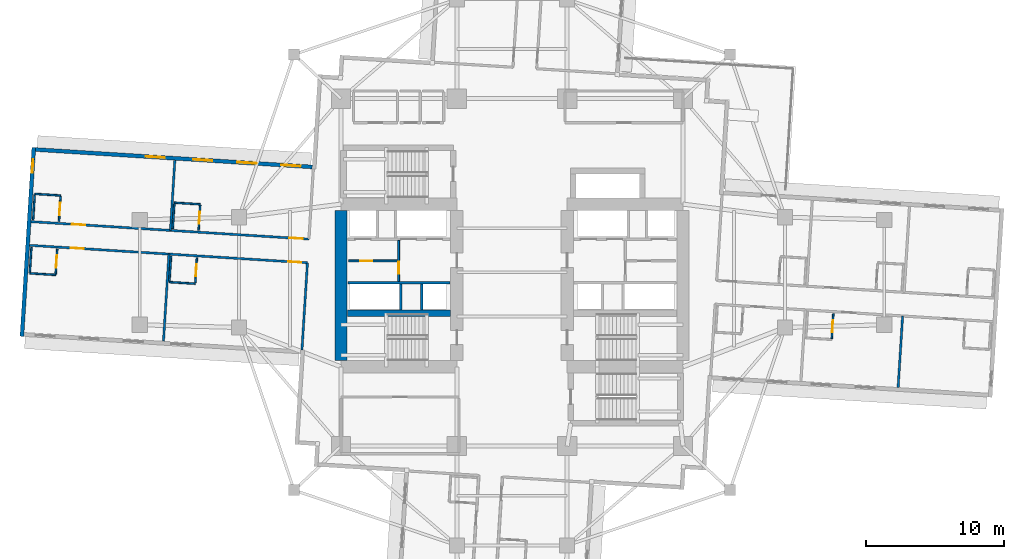
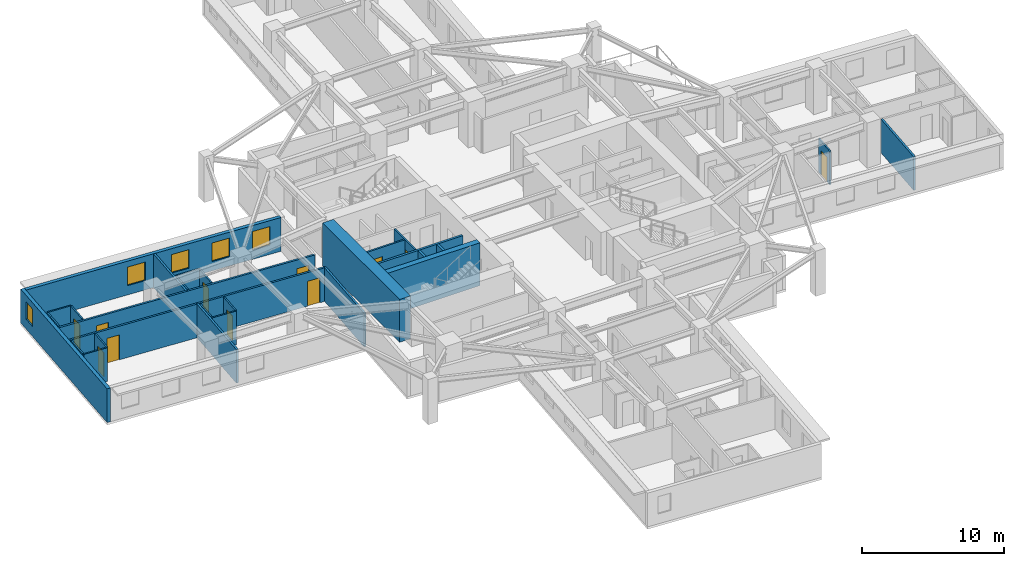
# One storey, part 5 of 14: 28 walls, 11 doors, 5 windows, 16 openings.
"""IFC4 building model written with IfcOpenShell, lengths in metres."""

from ifc_helpers import new_model, si_unit, direction, frame, frame_2d, origin, place, context, subcontext, project, spatial, rectangle, extrude, material, layer, layer_set, type_object, element, fill, save


model = new_model("IFC4")

# Units and contexts
model_context = context("Model", 3, precision=1e-05, world=origin(), true_north=direction((0.0, 1.0)))
body_context = subcontext(model_context, "Body", "Model", "MODEL_VIEW")
ifc_project = project(units=[si_unit("LENGTHUNIT", "METRE"), si_unit("AREAUNIT", "SQUARE_METRE"), si_unit("VOLUMEUNIT", "CUBIC_METRE"), si_unit("PLANEANGLEUNIT", "RADIAN"), si_unit("MASSUNIT", "GRAM", prefix="KILO")], contexts=[model_context])

# Site, building, storey
site_placement = place(None, origin())
site = spatial("IfcSite", under=ifc_project, at=site_placement, CompositionType="ELEMENT")
building_placement = place(site_placement, origin())
building = spatial("IfcBuilding", under=site, at=building_placement, Name="Qingluan Cross Belvedere", CompositionType="ELEMENT")
storey_placement = place(building_placement, frame((0.0, 0.0, 79.5)))
storey = spatial("IfcBuildingStorey", under=building, at=storey_placement, Name="L20", CompositionType="ELEMENT", Elevation=79.5)

# Walls
ifc_material_1 = material(Name="Concrete C50", Category="concrete")
ifc_layer_1 = layer(ifc_material_1, 0.449951171875, Name="CoreShearWall_450")
ifc_layer_set_1 = layer_set([ifc_layer_1], Name="Concrete C50")
wall_type_1 = type_object("IfcWallType", Name="CoreShearWall_450", PredefinedType="SHEAR", material=ifc_layer_set_1)
wall_1_placement = place(storey_placement, frame((-11.945068359375, -2.9599609375, 0.0), z_axis=(0.0, 0.0, 1.0), x_axis=(1.0, 0.0, 0.0)))
element("IfcWall", 1, at=wall_1_placement, inside=storey, type_object=wall_type_1, Name="Split core W shear wall L20-M", PredefinedType="SHEAR", context=body_context, shape_type="SweptSolid", body=[
    extrude(rectangle(XDim=7.489990234375, YDim=0.449951171875, at=frame_2d((3.7451171875, 0.0))), origin(), (0.0, 0.0, 1.0), 3.699951171875),
])
ifc_material_2 = material(Name="Concrete C70", Category="concrete")
ifc_layer_2 = layer(ifc_material_2, 0.89990234375, Name="CoreShearWall_900")
ifc_layer_set_2 = layer_set([ifc_layer_2], Name="Concrete C70")
wall_type_2 = type_object("IfcWallType", Name="CoreShearWall_900", PredefinedType="SHEAR", material=ifc_layer_set_2)
wall_2_placement = place(storey_placement, frame((-12.39990234375, -6.39501953125, 0.0), z_axis=(0.0, 0.0, 1.0), x_axis=(0.0, 1.0, 0.0)))
element("IfcWall", 2, at=wall_2_placement, inside=storey, type_object=wall_type_2, Name="Split core W shear wall L20-W", PredefinedType="SHEAR", context=body_context, shape_type="SweptSolid", body=[
    extrude(rectangle(XDim=10.89013671875, YDim=0.89990234375, at=frame_2d((5.445068359375, 0.0))), origin(), (0.0, 0.0, 1.0), 3.699951171875),
])

# Wall, opening, door
ifc_material_3 = material(Name="Gypsum plasterboard on steel stud acoustic partition", Category="steel")
ifc_layer_3 = layer(ifc_material_3, 0.159912109375, Name="CorridorPartition_160")
ifc_layer_set_3 = layer_set([ifc_layer_3], Name="Gypsum plasterboard on steel stud acoustic partition")
wall_type_3 = type_object("IfcWallType", Name="CorridorPartition_160", PredefinedType="PARTITIONING", material=ifc_layer_set_3)
wall_3_placement = place(storey_placement, frame((-11.85009765625, 0.830078125, 0.0), z_axis=(0.0, 0.0, 1.0), x_axis=(1.0, 0.0, 0.0)))
wall_3 = element("IfcWall", 3, at=wall_3_placement, inside=storey, type_object=wall_type_3, Name="Partition L20:w", PredefinedType="PARTITIONING", context=body_context, shape_type="SweptSolid", body=[
    extrude(rectangle(XDim=3.552001953125, YDim=0.139892578125, at=frame_2d((1.77587890625, 0.0))), origin(), (0.0, 0.0, 1.0), 2.89990234375),
])
opening_1_placement = place(wall_3_placement, frame((0.85009765625, 0.0, 0.0)))
opening_1 = element("IfcOpeningElement", 4, at=opening_1_placement, cuts=wall_3, Name="Opening FD-B10", PredefinedType="OPENING", context=body_context, shape_type="SweptSolid", body=[
    extrude(rectangle(XDim=0.8798828125, YDim=2.10009765625, at=frame_2d((0.43994140625, 1.050048828125))), frame((0.0, 0.079833984375, 0.0), z_axis=(0.0, -1.0, 0.0), x_axis=(1.0, 0.0, 0.0)), (0.0, 0.0, 1.0), 0.159912109375),
])
ifc_material_4 = material(Name="Steel Class B service fire door", Category="steel")
door_type_1 = type_object("IfcDoorType", Name="RiserServiceFireDoor_FDB", OperationType="NOTDEFINED", PredefinedType="DOOR", material=ifc_material_4)
door_1_placement = place(opening_1_placement, origin())
door_1 = element("IfcDoor", 5, at=door_1_placement, inside=storey, type_object=door_type_1, Name="Service closet inner door L20", OperationType="SINGLE_SWING_RIGHT", OverallHeight=2.10009765625, OverallWidth=0.8798828125, PredefinedType="DOOR", context=body_context, shape_type="SweptSolid", body=[
    extrude(rectangle(XDim=0.8798828125, YDim=2.10009765625, at=frame_2d((0.43994140625, 1.050048828125))), frame((0.0, 0.02490234375, 0.0), z_axis=(0.0, -1.0, 0.0), x_axis=(1.0, 0.0, 0.0)), (0.0, 0.0, 1.0), 0.050048828125),
])
fill(opening_1, door_1)

# Wall
wall_4_placement = place(storey_placement, frame((28.328125, -3.1650390625, 0.0), z_axis=(0.0, 0.0, 1.0), x_axis=(-0.062776426029, -0.998027615016, 0.0)))
element("IfcWall", 6, at=wall_4_placement, inside=storey, type_object=wall_type_3, Name="Partition L20:E:d1_1", PredefinedType="PARTITIONING", context=body_context, shape_type="SweptSolid", body=[
    extrude(rectangle(XDim=5.19189453125, YDim=0.159912109375, at=frame_2d((2.595947265625, 0.0))), origin(), (0.0, 0.0, 1.0), 2.89990234375),
])

# Wall, openings, doors
wall_5_placement = place(storey_placement, frame((-14.727783203125, 2.409423828125, 0.0), z_axis=(0.0, 0.0, 1.0), x_axis=(-0.998026414479, 0.062795509413, 0.0)))
wall_5 = element("IfcWall", 7, at=wall_5_placement, inside=storey, type_object=wall_type_3, Name="Partition L20:W:c0", PredefinedType="PARTITIONING", context=body_context, shape_type="SweptSolid", body=[
    extrude(rectangle(XDim=20.181884765625, YDim=0.159912109375, at=frame_2d((10.0908203125, 0.0))), origin(), (0.0, 0.0, 1.0), 2.89990234375),
])
opening_2_placement = place(wall_5_placement, frame((0.449951171875, 0.0, 0.0)))
opening_2 = element("IfcOpeningElement", 8, at=opening_2_placement, cuts=wall_5, Name="Opening GD-10", PredefinedType="OPENING", context=body_context, shape_type="SweptSolid", body=[
    extrude(rectangle(XDim=0.9599609375, YDim=2.14990234375, at=frame_2d((0.47998046875, 1.074951171875))), frame((0.0, 0.08984375, 0.0), z_axis=(0.0, -1.0, 0.0), x_axis=(1.0, 0.0, 0.0)), (0.0, 0.0, 1.0), 0.179931640625),
])
opening_3_placement = place(wall_5_placement, frame((16.2548828125, 0.0, 0.0)))
opening_3 = element("IfcOpeningElement", 9, at=opening_3_placement, cuts=wall_5, Name="Opening GD-10", PredefinedType="OPENING", context=body_context, shape_type="SweptSolid", body=[
    extrude(rectangle(XDim=0.9599609375, YDim=2.14990234375, at=frame_2d((0.47998046875, 1.074951171875))), frame((0.0, 0.08984375, 0.0), z_axis=(0.0, -1.0, 0.0), x_axis=(1.0, 0.0, 0.0)), (0.0, 0.0, 1.0), 0.179931640625),
])
ifc_material_5 = material(Name="Timber oak fire-rated acoustic guestroom door", Category="wood")
door_type_2 = type_object("IfcDoorType", Name="GuestEntryDoor_FD60", OperationType="NOTDEFINED", PredefinedType="DOOR", material=ifc_material_5)
door_2_placement = place(opening_2_placement, origin())
door_2 = element("IfcDoor", 10, at=door_2_placement, inside=storey, type_object=door_type_2, Name="Guest entry fire door 2007", OperationType="SINGLE_SWING_LEFT", OverallHeight=2.14990234375, OverallWidth=0.9599609375, PredefinedType="DOOR", context=body_context, shape_type="SweptSolid", body=[
    extrude(rectangle(XDim=0.9599609375, YDim=2.14990234375, at=frame_2d((0.47998046875, 1.074951171875))), frame((0.0, 0.02490234375, 0.0), z_axis=(0.0, -1.0, 0.0), x_axis=(1.0, 0.0, 0.0)), (0.0, 0.0, 1.0), 0.050048828125),
])
fill(opening_2, door_2)
door_3_placement = place(opening_3_placement, origin())
door_3 = element("IfcDoor", 11, at=door_3_placement, inside=storey, type_object=door_type_2, Name="Guest entry fire door 2008", OperationType="SINGLE_SWING_LEFT", OverallHeight=2.14990234375, OverallWidth=0.9599609375, PredefinedType="DOOR", context=body_context, shape_type="SweptSolid", body=[
    extrude(rectangle(XDim=0.9599609375, YDim=2.14990234375, at=frame_2d((0.47998046875, 1.074951171875))), frame((0.0, 0.02490234375, 0.0), z_axis=(0.0, -1.0, 0.0), x_axis=(1.0, 0.0, 0.0)), (0.0, 0.0, 1.0), 0.050048828125),
])
fill(opening_3, door_3)

# Wall
wall_6_placement = place(storey_placement, frame((-24.77099609375, 3.04150390625, 0.0), z_axis=(0.0, 0.0, 1.0), x_axis=(0.06281111298, 0.998025432585, 0.0)))
element("IfcWall", 12, at=wall_6_placement, inside=storey, type_object=wall_type_3, Name="Partition L20:W:d0_0", PredefinedType="PARTITIONING", context=body_context, shape_type="SweptSolid", body=[
    extrude(rectangle(XDim=5.091796875, YDim=0.159912109375, at=frame_2d((2.5458984375, 0.0))), origin(), (0.0, 0.0, 1.0), 2.89990234375),
])

# Wall, openings, doors
wall_7_placement = place(storey_placement, frame((-14.835693359375, 0.69287109375, 0.0), z_axis=(0.0, 0.0, 1.0), x_axis=(-0.998026414479, 0.062795509413, 0.0)))
wall_7 = element("IfcWall", 13, at=wall_7_placement, inside=storey, type_object=wall_type_3, Name="Partition L20:W:c1", PredefinedType="PARTITIONING", context=body_context, shape_type="SweptSolid", body=[
    extrude(rectangle(XDim=20.181884765625, YDim=0.159912109375, at=frame_2d((10.0908203125, 0.0))), origin(), (0.0, 0.0, 1.0), 2.89990234375),
])
opening_4_placement = place(wall_7_placement, frame((0.449951171875, 0.0, 0.0)))
opening_4 = element("IfcOpeningElement", 14, at=opening_4_placement, cuts=wall_7, Name="Opening GD-10", PredefinedType="OPENING", context=body_context, shape_type="SweptSolid", body=[
    extrude(rectangle(XDim=0.9599609375, YDim=2.14990234375, at=frame_2d((0.47998046875, 1.074951171875))), frame((0.0, 0.08984375, 0.0), z_axis=(0.0, -1.0, 0.0), x_axis=(1.0, 0.0, 0.0)), (0.0, 0.0, 1.0), 0.179931640625),
])
opening_5_placement = place(wall_7_placement, frame((16.2548828125, 0.0, 0.0)))
opening_5 = element("IfcOpeningElement", 15, at=opening_5_placement, cuts=wall_7, Name="Opening GD-10", PredefinedType="OPENING", context=body_context, shape_type="SweptSolid", body=[
    extrude(rectangle(XDim=0.9599609375, YDim=2.14990234375, at=frame_2d((0.47998046875, 1.074951171875))), frame((0.0, 0.08984375, 0.0), z_axis=(0.0, -1.0, 0.0), x_axis=(1.0, 0.0, 0.0)), (0.0, 0.0, 1.0), 0.179931640625),
])
door_4_placement = place(opening_4_placement, origin())
door_4 = element("IfcDoor", 16, at=door_4_placement, inside=storey, type_object=door_type_2, Name="Guest entry fire door 2009", OperationType="SINGLE_SWING_LEFT", OverallHeight=2.14990234375, OverallWidth=0.9599609375, PredefinedType="DOOR", context=body_context, shape_type="SweptSolid", body=[
    extrude(rectangle(XDim=0.9599609375, YDim=2.14990234375, at=frame_2d((0.47998046875, 1.074951171875))), frame((0.0, 0.02490234375, 0.0), z_axis=(0.0, -1.0, 0.0), x_axis=(1.0, 0.0, 0.0)), (0.0, 0.0, 1.0), 0.050048828125),
])
fill(opening_4, door_4)
door_5_placement = place(opening_5_placement, origin())
door_5 = element("IfcDoor", 17, at=door_5_placement, inside=storey, type_object=door_type_2, Name="Guest entry fire door 2010", OperationType="SINGLE_SWING_LEFT", OverallHeight=2.14990234375, OverallWidth=0.9599609375, PredefinedType="DOOR", context=body_context, shape_type="SweptSolid", body=[
    extrude(rectangle(XDim=0.9599609375, YDim=2.14990234375, at=frame_2d((0.47998046875, 1.074951171875))), frame((0.0, 0.02490234375, 0.0), z_axis=(0.0, -1.0, 0.0), x_axis=(1.0, 0.0, 0.0)), (0.0, 0.0, 1.0), 0.050048828125),
])
fill(opening_5, door_5)

# Walls
wall_8_placement = place(storey_placement, frame((-14.835693359375, 0.69287109375, 0.0), z_axis=(0.0, 0.0, 1.0), x_axis=(-0.062807948776, -0.99802563172, 0.0)))
element("IfcWall", 18, at=wall_8_placement, inside=storey, type_object=wall_type_3, Name="Partition L20:W:s1", PredefinedType="PARTITIONING", context=body_context, shape_type="SweptSolid", body=[
    extrude(rectangle(XDim=6.33203125, YDim=0.159912109375, at=frame_2d((3.166015625, 0.0))), origin(), (0.0, 0.0, 1.0), 2.89990234375),
])
wall_9_placement = place(storey_placement, frame((-24.87890625, 1.32470703125, 0.0), z_axis=(0.0, 0.0, 1.0), x_axis=(-0.06281036572, -0.998025479614, 0.0)))
element("IfcWall", 19, at=wall_9_placement, inside=storey, type_object=wall_type_3, Name="Partition L20:W:d1_0", PredefinedType="PARTITIONING", context=body_context, shape_type="SweptSolid", body=[
    extrude(rectangle(XDim=6.331787109375, YDim=0.159912109375, at=frame_2d((3.166015625, 0.0))), origin(), (0.0, 0.0, 1.0), 2.89990234375),
])

# Wall, opening, door
ifc_material_6 = material(Name="Moisture-resistant gypsum board lining")
ifc_layer_4 = layer(ifc_material_6, 0.1201171875, Name="EnsuiteWetPartition_120")
ifc_layer_set_4 = layer_set([ifc_layer_4], Name="Moisture-resistant gypsum board lining")
wall_type_4 = type_object("IfcWallType", Name="EnsuiteWetPartition_120", PredefinedType="PARTITIONING", material=ifc_layer_set_4)
wall_10_placement = place(storey_placement, frame((23.18994140625, -4.8056640625, 0.0), z_axis=(0.0, 0.0, 1.0), x_axis=(0.062779145668, 0.998027443946, 0.0)))
wall_10 = element("IfcWall", 20, at=wall_10_placement, inside=storey, type_object=wall_type_4, Name="Partition L20:E:bs1_1", PredefinedType="PARTITIONING", context=body_context, shape_type="SweptSolid", body=[
    extrude(rectangle(XDim=1.820068359375, YDim=0.1201171875, at=frame_2d((0.91015625, 0.0))), origin(), (0.0, 0.0, 1.0), 2.89990234375),
])
opening_6_placement = place(wall_10_placement, frame((0.469970703125, 0.0, 0.0)))
opening_6 = element("IfcOpeningElement", 21, at=opening_6_placement, cuts=wall_10, Name="Opening BD-09", PredefinedType="OPENING", context=body_context, shape_type="SweptSolid", body=[
    extrude(rectangle(XDim=0.8798828125, YDim=2.10009765625, at=frame_2d((0.43994140625, 1.050048828125))), frame((0.0, 0.070068359375, 0.0), z_axis=(0.0, -1.0, 0.0), x_axis=(1.0, 0.0, 0.0)), (0.0, 0.0, 1.0), 0.14013671875),
])
ifc_material_7 = material(Name="Moisture-sealed timber en-suite door", Category="wood")
door_type_3 = type_object("IfcDoorType", Name="BathroomDoor_880", OperationType="NOTDEFINED", PredefinedType="DOOR", material=ifc_material_7)
door_6_placement = place(opening_6_placement, origin())
door_6 = element("IfcDoor", 22, at=door_6_placement, inside=storey, type_object=door_type_3, Name="Bathroom door 2005", OperationType="SINGLE_SWING_RIGHT", OverallHeight=2.10009765625, OverallWidth=0.8798828125, PredefinedType="DOOR", context=body_context, shape_type="SweptSolid", body=[
    extrude(rectangle(XDim=0.8798828125, YDim=2.10009765625, at=frame_2d((0.43994140625, 1.050048828125))), frame((0.0, 0.02490234375, 0.0), z_axis=(0.0, -1.0, 0.0), x_axis=(1.0, 0.0, 0.0)), (0.0, 0.0, 1.0), 0.050048828125),
])
fill(opening_6, door_6)

wall_11_placement = place(storey_placement, frame((-22.72607421875, 3.052978515625, 0.0), z_axis=(0.0, 0.0, 1.0), x_axis=(0.062779145668, 0.998027443946, 0.0)))
wall_11 = element("IfcWall", 23, at=wall_11_placement, inside=storey, type_object=wall_type_4, Name="Partition L20:W:bs0_0", PredefinedType="PARTITIONING", context=body_context, shape_type="SweptSolid", body=[
    extrude(rectangle(XDim=1.820068359375, YDim=0.1201171875, at=frame_2d((0.91015625, 0.0))), origin(), (0.0, 0.0, 1.0), 2.89990234375),
])
opening_7_placement = place(wall_11_placement, frame((0.469970703125, 0.0, 0.0)))
opening_7 = element("IfcOpeningElement", 24, at=opening_7_placement, cuts=wall_11, Name="Opening BD-09", PredefinedType="OPENING", context=body_context, shape_type="SweptSolid", body=[
    extrude(rectangle(XDim=0.8798828125, YDim=2.10009765625, at=frame_2d((0.43994140625, 1.050048828125))), frame((0.0, 0.070068359375, 0.0), z_axis=(0.0, -1.0, 0.0), x_axis=(1.0, 0.0, 0.0)), (0.0, 0.0, 1.0), 0.14013671875),
])
door_7_placement = place(opening_7_placement, origin())
door_7 = element("IfcDoor", 25, at=door_7_placement, inside=storey, type_object=door_type_3, Name="Bathroom door 2007", OperationType="SINGLE_SWING_RIGHT", OverallHeight=2.10009765625, OverallWidth=0.8798828125, PredefinedType="DOOR", context=body_context, shape_type="SweptSolid", body=[
    extrude(rectangle(XDim=0.8798828125, YDim=2.10009765625, at=frame_2d((0.43994140625, 1.050048828125))), frame((0.0, 0.02490234375, 0.0), z_axis=(0.0, -1.0, 0.0), x_axis=(1.0, 0.0, 0.0)), (0.0, 0.0, 1.0), 0.050048828125),
])
fill(opening_7, door_7)

# Walls
wall_12_placement = place(storey_placement, frame((-24.602294921875, 3.171142578125, 0.0), z_axis=(0.0, 0.0, 1.0), x_axis=(0.062645529196, 0.998035839873, 0.0)))
element("IfcWall", 26, at=wall_12_placement, inside=storey, type_object=wall_type_4, Name="Partition L20:W:bw0_0", PredefinedType="PARTITIONING", context=body_context, shape_type="SweptSolid", body=[
    extrude(rectangle(XDim=1.820068359375, YDim=0.1201171875, at=frame_2d((0.91015625, 0.0))), origin(), (0.0, 0.0, 1.0), 2.89990234375),
])
wall_13_placement = place(storey_placement, frame((-22.60791015625, 4.934326171875, 0.0), z_axis=(0.0, 0.0, 1.0), x_axis=(-0.998030789148, 0.062725942896, 0.0)))
element("IfcWall", 27, at=wall_13_placement, inside=storey, type_object=wall_type_4, Name="Partition L20:W:bn0_0", PredefinedType="PARTITIONING", context=body_context, shape_type="SweptSolid", body=[
    extrude(rectangle(XDim=1.8798828125, YDim=0.1201171875, at=frame_2d((0.93994140625, 0.0))), origin(), (0.0, 0.0, 1.0), 2.89990234375),
])

# Wall, opening, door
wall_14_placement = place(storey_placement, frame((-32.85302734375, 3.690185546875, 0.0), z_axis=(0.0, 0.0, 1.0), x_axis=(0.062779145668, 0.998027443946, 0.0)))
wall_14 = element("IfcWall", 28, at=wall_14_placement, inside=storey, type_object=wall_type_4, Name="Partition L20:W:bs0_1", PredefinedType="PARTITIONING", context=body_context, shape_type="SweptSolid", body=[
    extrude(rectangle(XDim=1.820068359375, YDim=0.1201171875, at=frame_2d((0.91015625, 0.0))), origin(), (0.0, 0.0, 1.0), 2.89990234375),
])
opening_8_placement = place(wall_14_placement, frame((0.469970703125, 0.0, 0.0)))
opening_8 = element("IfcOpeningElement", 29, at=opening_8_placement, cuts=wall_14, Name="Opening BD-09", PredefinedType="OPENING", context=body_context, shape_type="SweptSolid", body=[
    extrude(rectangle(XDim=0.8798828125, YDim=2.10009765625, at=frame_2d((0.43994140625, 1.050048828125))), frame((0.0, 0.070068359375, 0.0), z_axis=(0.0, -1.0, 0.0), x_axis=(1.0, 0.0, 0.0)), (0.0, 0.0, 1.0), 0.14013671875),
])
door_8_placement = place(opening_8_placement, origin())
door_8 = element("IfcDoor", 30, at=door_8_placement, inside=storey, type_object=door_type_3, Name="Bathroom door 2008", OperationType="SINGLE_SWING_RIGHT", OverallHeight=2.10009765625, OverallWidth=0.8798828125, PredefinedType="DOOR", context=body_context, shape_type="SweptSolid", body=[
    extrude(rectangle(XDim=0.8798828125, YDim=2.10009765625, at=frame_2d((0.43994140625, 1.050048828125))), frame((0.0, 0.02490234375, 0.0), z_axis=(0.0, -1.0, 0.0), x_axis=(1.0, 0.0, 0.0)), (0.0, 0.0, 1.0), 0.050048828125),
])
fill(opening_8, door_8)

# Walls
wall_15_placement = place(storey_placement, frame((-34.7294921875, 3.80810546875, 0.0), z_axis=(0.0, 0.0, 1.0), x_axis=(0.062912758763, 0.998019030272, 0.0)))
element("IfcWall", 31, at=wall_15_placement, inside=storey, type_object=wall_type_4, Name="Partition L20:W:bw0_1", PredefinedType="PARTITIONING", context=body_context, shape_type="SweptSolid", body=[
    extrude(rectangle(XDim=1.820068359375, YDim=0.1201171875, at=frame_2d((0.91015625, 0.0))), origin(), (0.0, 0.0, 1.0), 2.89990234375),
])
wall_16_placement = place(storey_placement, frame((-32.73486328125, 5.5712890625, 0.0), z_axis=(0.0, 0.0, 1.0), x_axis=(-0.998022650819, 0.062855297722, 0.0)))
element("IfcWall", 32, at=wall_16_placement, inside=storey, type_object=wall_type_4, Name="Partition L20:W:bn0_1", PredefinedType="PARTITIONING", context=body_context, shape_type="SweptSolid", body=[
    extrude(rectangle(XDim=1.8798828125, YDim=0.1201171875, at=frame_2d((0.93994140625, 0.0))), origin(), (0.0, 0.0, 1.0), 2.89990234375),
])

# Wall, opening, door
wall_17_placement = place(storey_placement, frame((-22.966064453125, -0.759521484375, 0.0), z_axis=(0.0, 0.0, 1.0), x_axis=(0.062779145668, 0.998027443946, 0.0)))
wall_17 = element("IfcWall", 33, at=wall_17_placement, inside=storey, type_object=wall_type_4, Name="Partition L20:W:bs1_0", PredefinedType="PARTITIONING", context=body_context, shape_type="SweptSolid", body=[
    extrude(rectangle(XDim=1.820068359375, YDim=0.1201171875, at=frame_2d((0.91015625, 0.0))), origin(), (0.0, 0.0, 1.0), 2.89990234375),
])
opening_9_placement = place(wall_17_placement, frame((0.469970703125, 0.0, 0.0)))
opening_9 = element("IfcOpeningElement", 34, at=opening_9_placement, cuts=wall_17, Name="Opening BD-09", PredefinedType="OPENING", context=body_context, shape_type="SweptSolid", body=[
    extrude(rectangle(XDim=0.8798828125, YDim=2.10009765625, at=frame_2d((0.43994140625, 1.050048828125))), frame((0.0, 0.070068359375, 0.0), z_axis=(0.0, -1.0, 0.0), x_axis=(1.0, 0.0, 0.0)), (0.0, 0.0, 1.0), 0.14013671875),
])
door_9_placement = place(opening_9_placement, origin())
door_9 = element("IfcDoor", 35, at=door_9_placement, inside=storey, type_object=door_type_3, Name="Bathroom door 2009", OperationType="SINGLE_SWING_RIGHT", OverallHeight=2.10009765625, OverallWidth=0.8798828125, PredefinedType="DOOR", context=body_context, shape_type="SweptSolid", body=[
    extrude(rectangle(XDim=0.8798828125, YDim=2.10009765625, at=frame_2d((0.43994140625, 1.050048828125))), frame((0.0, 0.02490234375, 0.0), z_axis=(0.0, -1.0, 0.0), x_axis=(1.0, 0.0, 0.0)), (0.0, 0.0, 1.0), 0.050048828125),
])
fill(opening_9, door_9)

# Walls
wall_18_placement = place(storey_placement, frame((-24.84228515625, -0.641357421875, 0.0), z_axis=(0.0, 0.0, 1.0), x_axis=(0.062779145668, 0.998027443946, 0.0)))
element("IfcWall", 36, at=wall_18_placement, inside=storey, type_object=wall_type_4, Name="Partition L20:W:bw1_0", PredefinedType="PARTITIONING", context=body_context, shape_type="SweptSolid", body=[
    extrude(rectangle(XDim=1.820068359375, YDim=0.1201171875, at=frame_2d((0.91015625, 0.0))), origin(), (0.0, 0.0, 1.0), 2.89990234375),
])
wall_19_placement = place(storey_placement, frame((-22.97021484375, -0.82421875, 0.0), z_axis=(0.0, 0.0, 1.0), x_axis=(-0.998030789148, 0.062725942896, 0.0)))
element("IfcWall", 37, at=wall_19_placement, inside=storey, type_object=wall_type_4, Name="Partition L20:W:bc1_0", PredefinedType="PARTITIONING", context=body_context, shape_type="SweptSolid", body=[
    extrude(rectangle(XDim=1.8798828125, YDim=0.1201171875, at=frame_2d((0.93994140625, 0.0))), origin(), (0.0, 0.0, 1.0), 2.89990234375),
])

# Wall, opening, door
wall_20_placement = place(storey_placement, frame((-33.093017578125, -0.122314453125, 0.0), z_axis=(0.0, 0.0, 1.0), x_axis=(0.062779145668, 0.998027443946, 0.0)))
wall_20 = element("IfcWall", 38, at=wall_20_placement, inside=storey, type_object=wall_type_4, Name="Partition L20:W:bs1_1", PredefinedType="PARTITIONING", context=body_context, shape_type="SweptSolid", body=[
    extrude(rectangle(XDim=1.820068359375, YDim=0.1201171875, at=frame_2d((0.91015625, 0.0))), origin(), (0.0, 0.0, 1.0), 2.89990234375),
])
opening_10_placement = place(wall_20_placement, frame((0.469970703125, 0.0, 0.0)))
opening_10 = element("IfcOpeningElement", 39, at=opening_10_placement, cuts=wall_20, Name="Opening BD-09", PredefinedType="OPENING", context=body_context, shape_type="SweptSolid", body=[
    extrude(rectangle(XDim=0.8798828125, YDim=2.10009765625, at=frame_2d((0.43994140625, 1.050048828125))), frame((0.0, 0.070068359375, 0.0), z_axis=(0.0, -1.0, 0.0), x_axis=(1.0, 0.0, 0.0)), (0.0, 0.0, 1.0), 0.14013671875),
])
door_10_placement = place(opening_10_placement, origin())
door_10 = element("IfcDoor", 40, at=door_10_placement, inside=storey, type_object=door_type_3, Name="Bathroom door 2010", OperationType="SINGLE_SWING_RIGHT", OverallHeight=2.10009765625, OverallWidth=0.8798828125, PredefinedType="DOOR", context=body_context, shape_type="SweptSolid", body=[
    extrude(rectangle(XDim=0.8798828125, YDim=2.10009765625, at=frame_2d((0.43994140625, 1.050048828125))), frame((0.0, 0.02490234375, 0.0), z_axis=(0.0, -1.0, 0.0), x_axis=(1.0, 0.0, 0.0)), (0.0, 0.0, 1.0), 0.050048828125),
])
fill(opening_10, door_10)

# Walls
wall_21_placement = place(storey_placement, frame((-34.96923828125, -0.00439453125, 0.0), z_axis=(0.0, 0.0, 1.0), x_axis=(0.062779145668, 0.998027443946, 0.0)))
element("IfcWall", 41, at=wall_21_placement, inside=storey, type_object=wall_type_4, Name="Partition L20:W:bw1_1", PredefinedType="PARTITIONING", context=body_context, shape_type="SweptSolid", body=[
    extrude(rectangle(XDim=1.820068359375, YDim=0.1201171875, at=frame_2d((0.91015625, 0.0))), origin(), (0.0, 0.0, 1.0), 2.89990234375),
])
wall_22_placement = place(storey_placement, frame((-33.09716796875, -0.187255859375, 0.0), z_axis=(0.0, 0.0, 1.0), x_axis=(-0.998022650819, 0.062855297722, 0.0)))
element("IfcWall", 42, at=wall_22_placement, inside=storey, type_object=wall_type_4, Name="Partition L20:W:bc1_1", PredefinedType="PARTITIONING", context=body_context, shape_type="SweptSolid", body=[
    extrude(rectangle(XDim=1.8798828125, YDim=0.1201171875, at=frame_2d((0.93994140625, 0.0))), origin(), (0.0, 0.0, 1.0), 2.89990234375),
])

# Wall, openings, windows
ifc_material_8 = material(Name="Precast concrete C45", Category="concrete")
ifc_layer_5 = layer(ifc_material_8, 0.280029296875, Name="PrecastFacadeWall_280")
ifc_layer_set_5 = layer_set([ifc_layer_5], Name="Precast concrete C45")
wall_type_5 = type_object("IfcWallType", Name="PrecastFacadeWall_280", PredefinedType="STANDARD", material=ifc_layer_set_5)
wall_23_placement = place(storey_placement, frame((-14.488525390625, 7.644775390625, 0.0), z_axis=(0.0, 0.0, 1.0), x_axis=(-0.99802635503, 0.06279645424, 0.0)))
wall_23 = element("IfcWall", 43, at=wall_23_placement, inside=storey, type_object=wall_type_5, Name="Facade wall L20-WA", PredefinedType="STANDARD", context=body_context, shape_type="SweptSolid", body=[
    extrude(rectangle(XDim=20.099853515625, YDim=0.280029296875, at=frame_2d((10.0498046875, 0.0))), origin(), (0.0, 0.0, 1.0), 2.909912109375),
])
opening_11_placement = place(wall_23_placement, frame((0.85009765625, 0.0, 0.800048828125)))
opening_11 = element("IfcOpeningElement", 44, at=opening_11_placement, cuts=wall_23, Name="Opening W-01", PredefinedType="OPENING", context=body_context, shape_type="SweptSolid", body=[
    extrude(rectangle(XDim=1.39990234375, YDim=1.60009765625, at=frame_2d((0.699951171875, 0.800048828125))), frame((0.0, 0.14990234375, 0.0), z_axis=(0.0, -1.0, 0.0), x_axis=(1.0, 0.0, 0.0)), (0.0, 0.0, 1.0), 0.300048828125),
])
opening_12_placement = place(wall_23_placement, frame((4.050048828125, 0.0, 0.800048828125)))
opening_12 = element("IfcOpeningElement", 45, at=opening_12_placement, cuts=wall_23, Name="Opening W-01", PredefinedType="OPENING", context=body_context, shape_type="SweptSolid", body=[
    extrude(rectangle(XDim=1.39990234375, YDim=1.60009765625, at=frame_2d((0.699951171875, 0.800048828125))), frame((0.0, 0.14990234375, 0.0), z_axis=(0.0, -1.0, 0.0), x_axis=(1.0, 0.0, 0.0)), (0.0, 0.0, 1.0), 0.300048828125),
])
opening_13_placement = place(wall_23_placement, frame((7.25, 0.0, 0.800048828125)))
opening_13 = element("IfcOpeningElement", 46, at=opening_13_placement, cuts=wall_23, Name="Opening W-01", PredefinedType="OPENING", context=body_context, shape_type="SweptSolid", body=[
    extrude(rectangle(XDim=1.39990234375, YDim=1.60009765625, at=frame_2d((0.699951171875, 0.800048828125))), frame((0.0, 0.14990234375, 0.0), z_axis=(0.0, -1.0, 0.0), x_axis=(1.0, 0.0, 0.0)), (0.0, 0.0, 1.0), 0.300048828125),
])
opening_14_placement = place(wall_23_placement, frame((10.699951171875, 0.0, 0.800048828125)))
opening_14 = element("IfcOpeningElement", 47, at=opening_14_placement, cuts=wall_23, Name="Opening W-01", PredefinedType="OPENING", context=body_context, shape_type="SweptSolid", body=[
    extrude(rectangle(XDim=1.39990234375, YDim=1.60009765625, at=frame_2d((0.699951171875, 0.800048828125))), frame((0.0, 0.14990234375, 0.0), z_axis=(0.0, -1.0, 0.0), x_axis=(1.0, 0.0, 0.0)), (0.0, 0.0, 1.0), 0.300048828125),
])
ifc_material_9 = material(Name="Thermally broken triple Low-E glass in aluminium frame", Category="aluminium")
window_type_1 = type_object("IfcWindowType", Name="TriRibbonWin_1400x1600", PartitioningType="SINGLE_PANEL", PredefinedType="WINDOW", material=ifc_material_9)
window_1_placement = place(opening_11_placement, origin())
window_1 = element("IfcWindow", 48, at=window_1_placement, inside=storey, type_object=window_type_1, Name="Ribbon window L20-WA-1", OverallHeight=1.60009765625, OverallWidth=1.39990234375, PartitioningType="SINGLE_PANEL", PredefinedType="WINDOW", context=body_context, shape_type="SweptSolid", body=[
    extrude(rectangle(XDim=1.39990234375, YDim=1.60009765625, at=frame_2d((0.699951171875, 0.800048828125))), frame((0.0, 0.030029296875, 0.0), z_axis=(0.0, -1.0, 0.0), x_axis=(1.0, 0.0, 0.0)), (0.0, 0.0, 1.0), 0.06005859375),
])
fill(opening_11, window_1)
window_2_placement = place(opening_12_placement, origin())
window_2 = element("IfcWindow", 49, at=window_2_placement, inside=storey, type_object=window_type_1, Name="Ribbon window L20-WA-2", OverallHeight=1.60009765625, OverallWidth=1.39990234375, PartitioningType="SINGLE_PANEL", PredefinedType="WINDOW", context=body_context, shape_type="SweptSolid", body=[
    extrude(rectangle(XDim=1.39990234375, YDim=1.60009765625, at=frame_2d((0.699951171875, 0.800048828125))), frame((0.0, 0.030029296875, 0.0), z_axis=(0.0, -1.0, 0.0), x_axis=(1.0, 0.0, 0.0)), (0.0, 0.0, 1.0), 0.06005859375),
])
fill(opening_12, window_2)
window_3_placement = place(opening_13_placement, origin())
window_3 = element("IfcWindow", 50, at=window_3_placement, inside=storey, type_object=window_type_1, Name="Ribbon window L20-WA-3", OverallHeight=1.60009765625, OverallWidth=1.39990234375, PartitioningType="SINGLE_PANEL", PredefinedType="WINDOW", context=body_context, shape_type="SweptSolid", body=[
    extrude(rectangle(XDim=1.39990234375, YDim=1.60009765625, at=frame_2d((0.699951171875, 0.800048828125))), frame((0.0, 0.030029296875, 0.0), z_axis=(0.0, -1.0, 0.0), x_axis=(1.0, 0.0, 0.0)), (0.0, 0.0, 1.0), 0.06005859375),
])
fill(opening_13, window_3)
window_4_placement = place(opening_14_placement, origin())
window_4 = element("IfcWindow", 51, at=window_4_placement, inside=storey, type_object=window_type_1, Name="Ribbon window L20-WA-4", OverallHeight=1.60009765625, OverallWidth=1.39990234375, PartitioningType="SINGLE_PANEL", PredefinedType="WINDOW", context=body_context, shape_type="SweptSolid", body=[
    extrude(rectangle(XDim=1.39990234375, YDim=1.60009765625, at=frame_2d((0.699951171875, 0.800048828125))), frame((0.0, 0.030029296875, 0.0), z_axis=(0.0, -1.0, 0.0), x_axis=(1.0, 0.0, 0.0)), (0.0, 0.0, 1.0), 0.06005859375),
])
fill(opening_14, window_4)

# Wall, opening, window
wall_24_placement = place(storey_placement, frame((-34.6796875, 9.055419921875, 0.0), z_axis=(0.0, 0.0, 1.0), x_axis=(-0.062797041623, -0.998026318072, 0.0)))
wall_24 = element("IfcWall", 52, at=wall_24_placement, inside=storey, type_object=wall_type_5, Name="Arm tip precast facade wall L20-W", PredefinedType="STANDARD", context=body_context, shape_type="SweptSolid", body=[
    extrude(rectangle(XDim=13.719970703125, YDim=0.280029296875, at=frame_2d((6.85986328125, 0.0))), origin(), (0.0, 0.0, 1.0), 2.909912109375),
])
opening_15_placement = place(wall_24_placement, frame((0.85009765625, 0.0, 0.85009765625)))
opening_15 = element("IfcOpeningElement", 53, at=opening_15_placement, cuts=wall_24, Name="Opening W-03", PredefinedType="OPENING", context=body_context, shape_type="SweptSolid", body=[
    extrude(rectangle(XDim=1.0, YDim=1.5, at=frame_2d((0.5, 0.75))), frame((0.0, 0.14990234375, 0.0), z_axis=(0.0, -1.0, 0.0), x_axis=(1.0, 0.0, 0.0)), (0.0, 0.0, 1.0), 0.300048828125),
])
ifc_material_10 = material(Name="Thermally broken triple Low-E glass in aluminium frame", Category="aluminium")
window_type_2 = type_object("IfcWindowType", Name="TriApexWin_1000x1500", PartitioningType="SINGLE_PANEL", PredefinedType="WINDOW", material=ifc_material_10)
window_5_placement = place(opening_15_placement, origin())
window_5 = element("IfcWindow", 54, at=window_5_placement, inside=storey, type_object=window_type_2, Name="Arm tip triangular window L20-W", OverallHeight=1.5, OverallWidth=1.0, PartitioningType="SINGLE_PANEL", PredefinedType="WINDOW", context=body_context, shape_type="SweptSolid", body=[
    extrude(rectangle(XDim=1.0, YDim=1.5, at=frame_2d((0.5, 0.75))), frame((0.0, 0.030029296875, 0.0), z_axis=(0.0, -1.0, 0.0), x_axis=(1.0, 0.0, 0.0)), (0.0, 0.0, 1.0), 0.06005859375),
])
fill(opening_15, window_5)

# Walls
ifc_material_11 = material(Name="Concrete C40", Category="concrete")
ifc_layer_6 = layer(ifc_material_11, 0.219970703125, Name="ShaftEnclosureWall_250")
ifc_layer_set_6 = layer_set([ifc_layer_6], Name="Concrete C40")
wall_type_6 = type_object("IfcWallType", Name="ShaftEnclosureWall_250", PredefinedType="SOLIDWALL", material=ifc_layer_set_6)
wall_25_placement = place(storey_placement, frame((-11.89990234375, -0.75, 0.0), z_axis=(0.0, 0.0, 1.0), x_axis=(1.0, 0.0, 0.0)))
element("IfcWall", 55, at=wall_25_placement, inside=storey, type_object=wall_type_6, Name="Core-W mid hoistway wall L20", PredefinedType="SOLIDWALL", context=body_context, shape_type="SweptSolid", body=[
    extrude(rectangle(XDim=7.419921875, YDim=0.179931640625, at=frame_2d((3.7099609375, 0.0))), origin(), (0.0, 0.0, 1.0), 2.89990234375),
])
for number, where, z_axis, x_axis, name in (
    (56, (-8.06005859375, -2.72998046875, 0.0), (0.0, 0.0, 1.0), (0.0, 1.0, 0.0), "Hoistway enclosure divider LP6E L20"),
    (57, (-6.5400390625, -2.72998046875, 0.0), (0.0, 0.0, 1.0), (0.0, 1.0, 0.0), "Hoistway enclosure divider LP8W L20"),
):
    element("IfcWall", number, at=place(storey_placement, frame(where, z_axis=z_axis, x_axis=x_axis)), inside=storey, type_object=wall_type_6, Name=name, PredefinedType="SOLIDWALL", context=body_context, shape_type="SweptSolid", body=[
        extrude(rectangle(XDim=1.889892578125, YDim=0.179931640625, at=frame_2d((0.94482421875, 0.0))), origin(), (0.0, 0.0, 1.0), 2.89990234375),
    ])

# Wall, opening, door
wall_26_placement = place(storey_placement, frame((-8.219970703125, -0.64990234375, 0.0), z_axis=(0.0, 0.0, 1.0), x_axis=(0.0, 1.0, 0.0)))
wall_26 = element("IfcWall", 58, at=wall_26_placement, inside=storey, type_object=wall_type_6, Name="Core-W service corridor wall L20", PredefinedType="SOLIDWALL", context=body_context, shape_type="SweptSolid", body=[
    extrude(rectangle(XDim=2.9599609375, YDim=0.139892578125, at=frame_2d((1.47998046875, 0.0))), origin(), (0.0, 0.0, 1.0), 2.89990234375),
])
opening_16_placement = place(wall_26_placement, frame((0.550048828125, 0.0, 0.0)))
opening_16 = element("IfcOpeningElement", 59, at=opening_16_placement, cuts=wall_26, Name="Opening FD-B10", PredefinedType="OPENING", context=body_context, shape_type="SweptSolid", body=[
    extrude(rectangle(XDim=0.8798828125, YDim=2.10009765625, at=frame_2d((0.43994140625, 1.050048828125))), frame((0.0, 0.079833984375, 0.0), z_axis=(0.0, -1.0, 0.0), x_axis=(1.0, 0.0, 0.0)), (0.0, 0.0, 1.0), 0.159912109375),
])
door_11_placement = place(opening_16_placement, origin())
door_11 = element("IfcDoor", 60, at=door_11_placement, inside=storey, type_object=door_type_1, Name="Core-W service room door L20", OperationType="SINGLE_SWING_RIGHT", OverallHeight=2.10009765625, OverallWidth=0.8798828125, PredefinedType="DOOR", context=body_context, shape_type="SweptSolid", body=[
    extrude(rectangle(XDim=0.8798828125, YDim=2.10009765625, at=frame_2d((0.43994140625, 1.050048828125))), frame((0.0, 0.02490234375, 0.0), z_axis=(0.0, -1.0, 0.0), x_axis=(1.0, 0.0, 0.0)), (0.0, 0.0, 1.0), 0.050048828125),
])
fill(opening_16, door_11)

save(model, "model.ifc")
